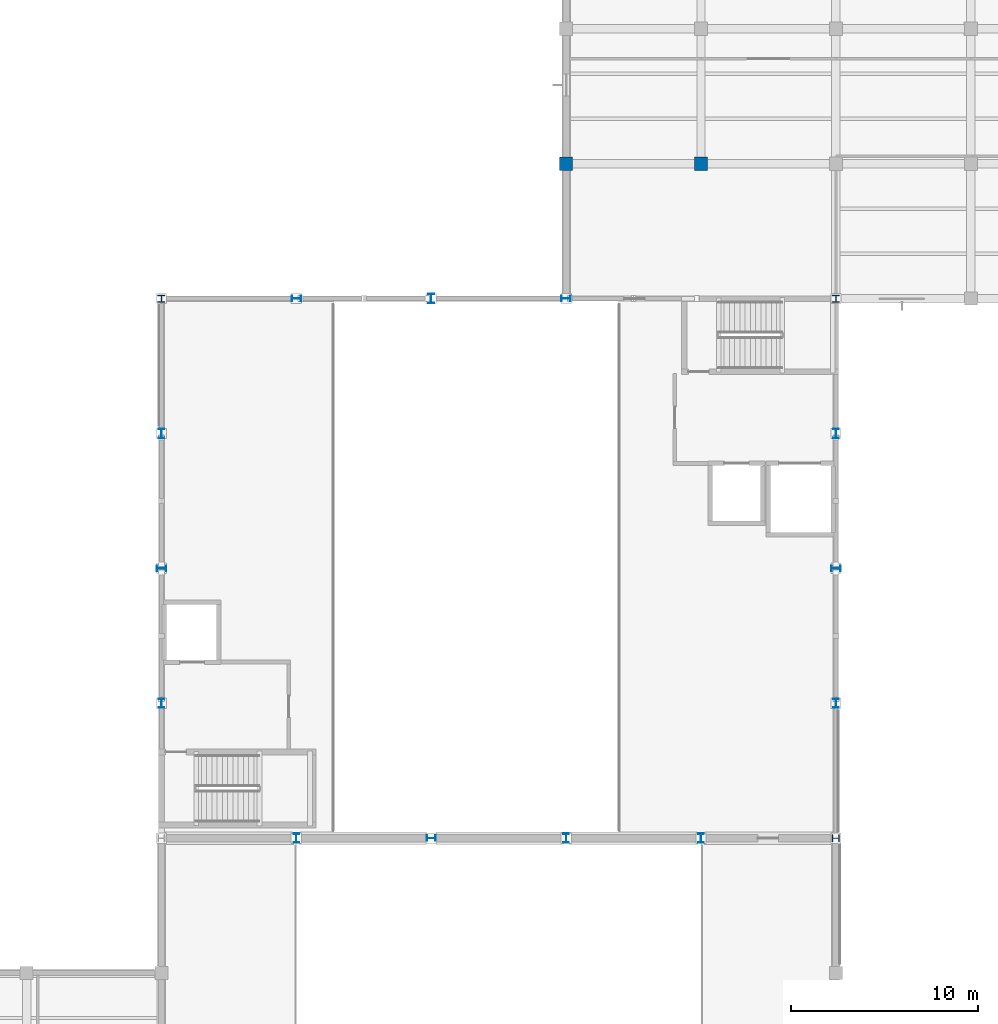
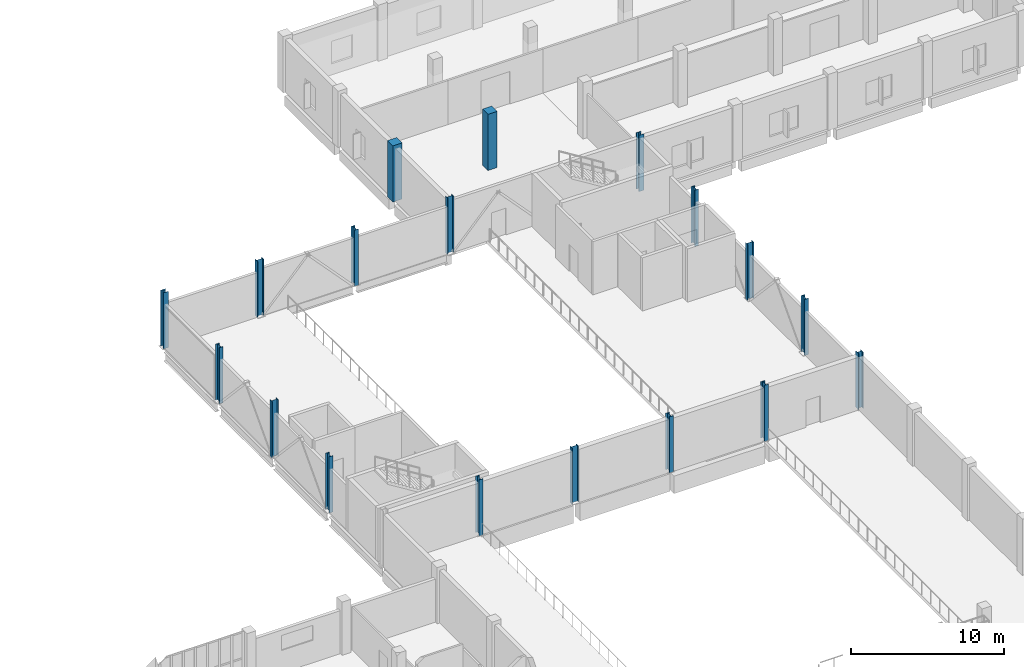
# One storey, part 8 of 108: 18 columns.
"""IFC4 building model written with IfcOpenShell, lengths in metres."""

from ifc_helpers import new_model, si_unit, direction, frame, origin, origin_2d, place, context, subcontext, project, spatial, rectangle, i_section, extrude, material, material_profile, profile_set, type_object, element, save


model = new_model("IFC4")

# Units and contexts
model_context = context("Model", 3, precision=1e-05, world=origin(), true_north=direction((0.0, 1.0)))
body_context = subcontext(model_context, "Body", "Model", "MODEL_VIEW")
ifc_project = project(units=[si_unit("LENGTHUNIT", "METRE"), si_unit("AREAUNIT", "SQUARE_METRE"), si_unit("VOLUMEUNIT", "CUBIC_METRE"), si_unit("PLANEANGLEUNIT", "RADIAN"), si_unit("MASSUNIT", "GRAM", prefix="KILO"), si_unit("THERMODYNAMICTEMPERATUREUNIT", "KELVIN"), si_unit("POWERUNIT", "WATT")], contexts=[model_context])

# Site, building, storey
site_placement = place(None, origin())
site = spatial("IfcSite", under=ifc_project, at=site_placement, CompositionType="ELEMENT")
building_placement = place(site_placement, origin())
building = spatial("IfcBuilding", under=site, at=building_placement, Name="Kaldorven Railside Theatre", CompositionType="ELEMENT")
storey_placement = place(building_placement, frame((0.0, 0.0, 5.39990234375)))
storey = spatial("IfcBuildingStorey", under=building, at=storey_placement, Name="L01", CompositionType="ELEMENT", Elevation=5.39990234375)

# Columns
ifc_material_1 = material(Name="Steel S355", Category="steel")
ifc_material_profile_1 = material_profile(ifc_material_1, i_section(OverallWidth=0.300048828125, OverallDepth=0.5, WebThickness=0.014404296875, FlangeThickness=0.028076171875, at=origin_2d()), Name="HEB 500")
ifc_profile_set_1 = profile_set([ifc_material_profile_1], Name="Steel S355")
column_type_1 = type_object("IfcColumnType", Name="COL-HEB500", PredefinedType="COLUMN", material=ifc_profile_set_1)
for number, where, z_axis, x_axis, name in (
    (1, (94.39990234375, 84.0, 0.0), (0.0, 0.0, 1.0), (1.0, 0.0, 0.0), "L01 Column CG-L01-094-084"),
    (2, (101.60009765625, 84.0, 0.0), (0.0, 0.0, 1.0), (0.0, 1.0, 0.0), "L01 Column CG-L01-101-084"),
    (3, (108.800048828125, 84.0, 0.0), (0.0, 0.0, 1.0), (1.0, 0.0, 0.0), "L01 Column CG-L01-108-084"),
    (4, (116.0, 84.0, 0.0), (0.0, 0.0, 1.0), (1.0, 0.0, 0.0), "L01 Column CG-L01-116-084"),
    (5, (87.199951171875, 91.199951171875, 0.0), (0.0, 0.0, 1.0), (1.0, 0.0, 0.0), "L01 Column CG-L01-087-091"),
    (6, (123.199951171875, 91.199951171875, 0.0), (0.0, 0.0, 1.0), (1.0, 0.0, 0.0), "L01 Column CG-L01-123-091"),
    (7, (87.199951171875, 98.39990234375, 0.0), (0.0, 0.0, 1.0), (0.0, 1.0, 0.0), "L01 Column CG-L01-087-098"),
    (8, (123.199951171875, 98.39990234375, 0.0), (0.0, 0.0, 1.0), (0.0, 1.0, 0.0), "L01 Column CG-L01-123-098"),
    (9, (87.199951171875, 105.60009765625, 0.0), (0.0, 0.0, 1.0), (1.0, 0.0, 0.0), "L01 Column CG-L01-087-105"),
    (10, (123.199951171875, 105.60009765625, 0.0), (0.0, 0.0, 1.0), (1.0, 0.0, 0.0), "L01 Column CG-L01-123-105"),
    (11, (94.39990234375, 112.800048828125, 0.0), (0.0, 0.0, 1.0), (0.0, 1.0, 0.0), "L01 Column CG-L01-094-112"),
    (12, (101.60009765625, 112.800048828125, 0.0), (0.0, 0.0, 1.0), (1.0, 0.0, 0.0), "L01 Column CG-L01-101-112"),
    (13, (108.800048828125, 112.800048828125, 0.0), (0.0, 0.0, 1.0), (0.0, 1.0, 0.0), "L01 Column CG-L01-108-112"),
):
    element("IfcColumn", number, at=place(storey_placement, frame(where, z_axis=z_axis, x_axis=x_axis)), inside=storey, type_object=column_type_1, Name=name, PredefinedType="COLUMN", context=body_context, shape_type="SweptSolid", body=[
        extrude(i_section(OverallWidth=0.300048828125, OverallDepth=0.5, WebThickness=0.014404296875, FlangeThickness=0.028076171875, at=origin_2d()), origin(), (0.0, 0.0, 1.0), 4.5),
    ])
ifc_material_2 = material(Name="Concrete C40/50", Category="concrete")
ifc_material_profile_2 = material_profile(ifc_material_2, rectangle(XDim=0.699951171875, YDim=0.699951171875, at=origin_2d()), Name="RC 700x700")
ifc_profile_set_2 = profile_set([ifc_material_profile_2], Name="Concrete C40/50")
column_type_2 = type_object("IfcColumnType", Name="COL-RC700", PredefinedType="COLUMN", material=ifc_profile_set_2)
for number, where, z_axis, x_axis, name in (
    (14, (108.800048828125, 120.0, 0.0), (0.0, 0.0, 1.0), (1.0, 0.0, 0.0), "L01 Column CG-L01-108-120"),
    (15, (116.0, 120.0, 0.0), (0.0, 0.0, 1.0), (1.0, 0.0, 0.0), "L01 Column CG-L01-116-120"),
):
    element("IfcColumn", number, at=place(storey_placement, frame(where, z_axis=z_axis, x_axis=x_axis)), inside=storey, type_object=column_type_2, Name=name, PredefinedType="COLUMN", context=body_context, shape_type="SweptSolid", body=[
        extrude(rectangle(XDim=0.699951171875, YDim=0.699951171875, at=origin_2d()), origin(), (0.0, 0.0, 1.0), 4.5),
    ])
ifc_material_profile_3 = material_profile(ifc_material_1, i_section(OverallWidth=0.37255859375, OverallDepth=0.3681640625, WebThickness=0.014404296875, FlangeThickness=0.023681640625, at=origin_2d()), Name="UC 356x368x177")
ifc_profile_set_3 = profile_set([ifc_material_profile_3], Name="Steel S355")
column_type_3 = type_object("IfcColumnType", Name="COL-UC356", PredefinedType="COLUMN", material=ifc_profile_set_3)
for number, where, z_axis, x_axis, name in (
    (16, (123.199951171875, 84.0, 0.0), (0.0, 0.0, 1.0), (0.0, 1.0, 0.0), "L01 Column CG-L01-123-084"),
    (17, (87.199951171875, 112.800048828125, 0.0), (0.0, 0.0, 1.0), (1.0, 0.0, 0.0), "L01 Column CG-L01-087-112"),
    (18, (123.199951171875, 112.800048828125, 0.0), (0.0, 0.0, 1.0), (1.0, 0.0, 0.0), "L01 Column CG-L01-123-112"),
):
    element("IfcColumn", number, at=place(storey_placement, frame(where, z_axis=z_axis, x_axis=x_axis)), inside=storey, type_object=column_type_3, Name=name, PredefinedType="COLUMN", context=body_context, shape_type="SweptSolid", body=[
        extrude(i_section(OverallWidth=0.37255859375, OverallDepth=0.3681640625, WebThickness=0.014404296875, FlangeThickness=0.023681640625, at=origin_2d()), origin(), (0.0, 0.0, 1.0), 4.5),
    ])

save(model, "model.ifc")
